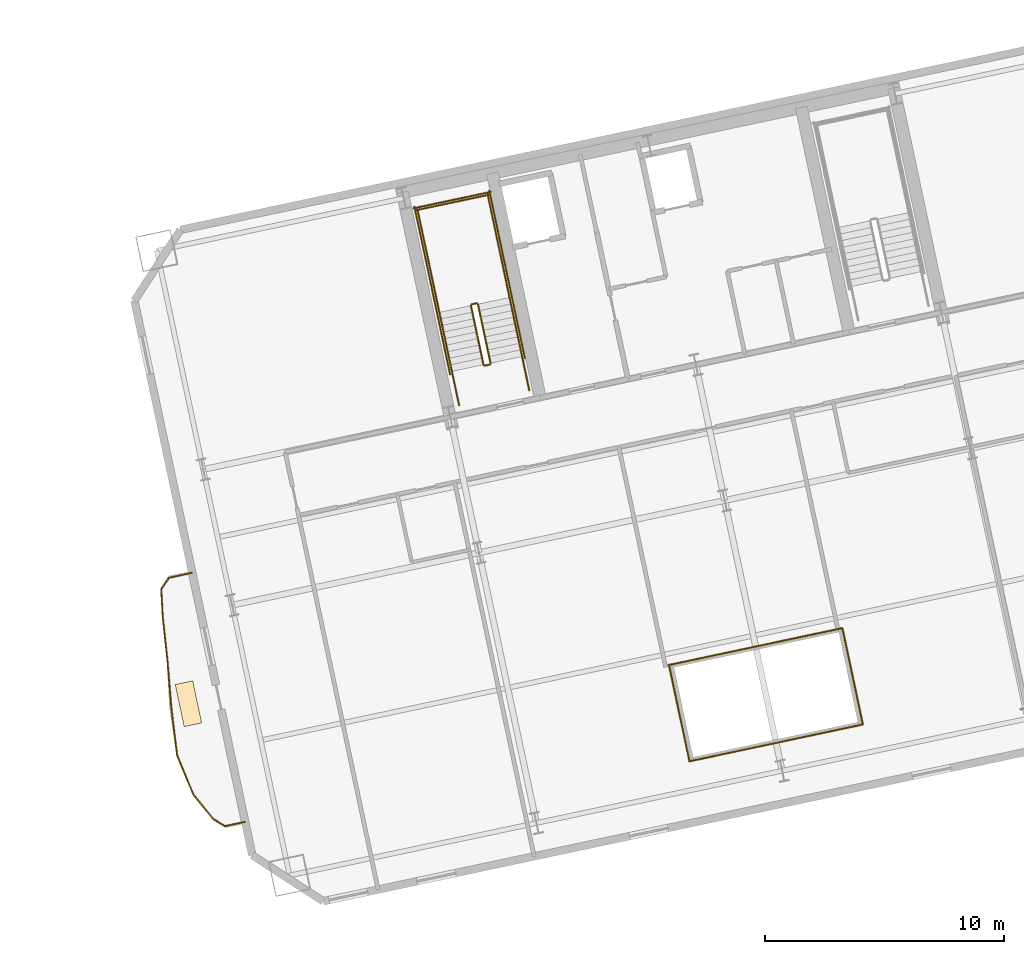
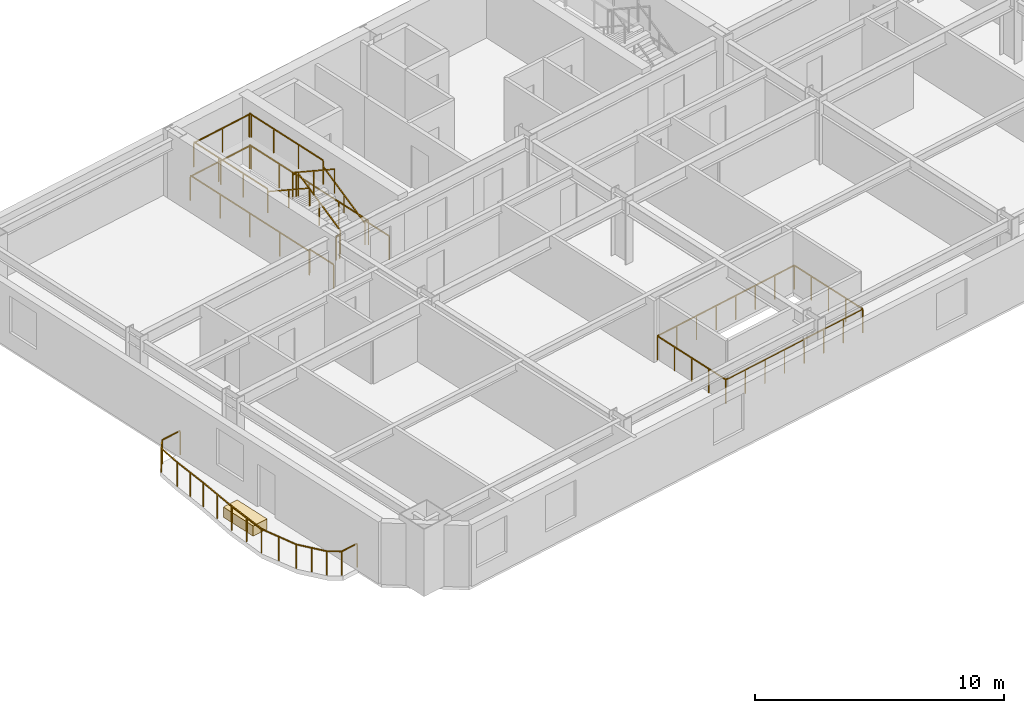
# One storey, part 13 of 14: 28 railings, 1 covering.
"""IFC4 building model written with IfcOpenShell, lengths in metres."""

import ifcopenshell
import ifcopenshell.guid

model = None  # the IFC model being written
_history = None  # IfcOwnerHistory: only IFC2X3 demands one
_inside = {}  # id of a spatial element -> (the spatial element, [elements in it])
_under = {}  # id of a project, library or spatial element -> (it, [spatial elements below it])
_declared = {}  # id of a project -> (the project, [libraries it declares])
_typed = {}  # id of a type object -> (the type object, [elements of that type])
_made_of = {}  # id of a material, layer set ... -> (it, [elements and type objects made of it])


def new_model(schema):
    """Start an empty IFC model of exactly this schema.

    Asked for "IFC4X3", IfcOpenShell would pick the latest addendum, in which some entities
    have other attributes; the version numbers below select the first issue.
    IFC2X3 requires an IfcOwnerHistory on every rooted entity: one is made here for all.
    """
    global model, _history
    if schema == "IFC4X3":
        model = ifcopenshell.file(schema_version=(4, 3, 0, 0))
    else:
        model = ifcopenshell.file(schema=schema)
    _inside.clear()
    _under.clear()
    _declared.clear()
    _typed.clear()
    _made_of.clear()
    _history = None
    if model.schema == "IFC2X3":
        org = make("IfcOrganization", Name="unknown")
        user = make(
            "IfcPersonAndOrganization",
            ThePerson=make("IfcPerson", FamilyName="unknown"),
            TheOrganization=org,
        )
        app = make(
            "IfcApplication",
            ApplicationDeveloper=org,
            Version="unknown",
            ApplicationFullName="unknown",
            ApplicationIdentifier="unknown",
        )
        _history = make(
            "IfcOwnerHistory",
            OwningUser=user,
            OwningApplication=app,
            ChangeAction="ADDED",
            CreationDate=0,
        )
    return model


def make(cls, **values):
    """One entity of the class cls with the attributes given. An attribute that is None is left unset."""
    return model.create_entity(
        cls, **{name: value for name, value in values.items() if value is not None}
    )


def rooted(cls, **values):
    """An entity with a GlobalId (a new one), such as an element, a storey or a relation."""
    return make(cls, GlobalId=ifcopenshell.guid.new(), OwnerHistory=_history, **values)


def si_unit(unit_type, name, prefix=None):
    """IfcSIUnit, for example si_unit("LENGTHUNIT", "METRE", prefix="MILLI")."""
    return make("IfcSIUnit", UnitType=unit_type, Prefix=prefix, Name=name)


def assignment(units):
    """IfcUnitAssignment: the units of a project."""
    return None if units is None else make("IfcUnitAssignment", Units=units)


def point(xyz):
    """IfcCartesianPoint."""
    return None if xyz is None else make("IfcCartesianPoint", Coordinates=xyz)


def direction(xyz):
    """IfcDirection."""
    return None if xyz is None else make("IfcDirection", DirectionRatios=xyz)


def frame(location, z_axis=None, x_axis=None):
    """IfcAxis2Placement3D, a coordinate frame: its origin and axes. An axis left out is left unset."""
    return make(
        "IfcAxis2Placement3D",
        Location=point(location),
        Axis=direction(z_axis),
        RefDirection=direction(x_axis),
    )


def frame_2d(location, x_axis=None):
    """IfcAxis2Placement2D, a coordinate frame in the plane: its origin and x axis."""
    return make(
        "IfcAxis2Placement2D", Location=point(location), RefDirection=direction(x_axis)
    )


def origin():
    """The frame at (0, 0, 0) with its axes left unset."""
    return frame((0.0, 0.0, 0.0))


def origin_2d():
    """The frame at (0, 0) in the plane with its x axis left unset."""
    return frame_2d((0.0, 0.0))


def place(relative_to, where):
    """IfcLocalPlacement: puts the frame where relative to a parent placement (None: the world)."""
    return make(
        "IfcLocalPlacement", PlacementRelTo=relative_to, RelativePlacement=where
    )


def context(
    kind, dimensions, precision=None, world=None, true_north=None, identifier=None
):
    """IfcGeometricRepresentationContext, for example the 3D "Model" context."""
    return make(
        "IfcGeometricRepresentationContext",
        ContextIdentifier=identifier,
        ContextType=kind,
        CoordinateSpaceDimension=dimensions,
        Precision=precision,
        WorldCoordinateSystem=world,
        TrueNorth=true_north,
    )


def subcontext(parent, identifier, kind, view, scale=None):
    """IfcGeometricRepresentationSubContext, for example "Body" below "Model"."""
    return make(
        "IfcGeometricRepresentationSubContext",
        ContextIdentifier=identifier,
        ContextType=kind,
        ParentContext=parent,
        TargetScale=scale,
        TargetView=view,
    )


def project(units=None, contexts=None):
    """IfcProject with its units and contexts."""
    return rooted(
        "IfcProject",
        Name="project",
        RepresentationContexts=contexts,
        UnitsInContext=assignment(units),
    )


def spatial(cls, under=None, at=None, **own):
    """A site, building, storey or space (cls), placed at a placement, below another one or the project."""
    s = rooted(cls, ObjectPlacement=at, **own)
    if under is not None:
        _under.setdefault(under.id(), (under, []))[1].append(s)
    return s


def profile(cls, at=None, kind="AREA", **sizes):
    """A parametric profile (cls). Its sizes go by their IFC names, for example OverallWidth=200.0."""
    return make(cls, ProfileType=kind, Position=at, **sizes)


def rectangle(**sizes):
    """IfcRectangleProfileDef."""
    return profile("IfcRectangleProfileDef", **sizes)


def extrude(swept, where, along, depth):
    """IfcExtrudedAreaSolid: the profile swept, set in the frame where, extruded along a direction by depth."""
    return make(
        "IfcExtrudedAreaSolid",
        SweptArea=swept,
        Position=where,
        ExtrudedDirection=direction(along),
        Depth=depth,
    )


def shape(context_of_items, identifier, shape_type, items):
    """IfcShapeRepresentation: the items that make up one representation, for example the "Body"."""
    return make(
        "IfcShapeRepresentation",
        ContextOfItems=context_of_items,
        RepresentationIdentifier=identifier,
        RepresentationType=shape_type,
        Items=items,
    )


def material(Name=None, Category=None):
    """IfcMaterial."""
    return make("IfcMaterial", Name=Name, Category=Category)


def layer(
    of_material, thickness, ventilated=None, Name=None, Category=None, Priority=None
):
    """IfcMaterialLayer: one layer of a wall or slab, of a material (None: an air gap)."""
    return make(
        "IfcMaterialLayer",
        Material=of_material,
        LayerThickness=thickness,
        IsVentilated=ventilated,
        Name=Name,
        Category=Category,
        Priority=Priority,
    )


def layer_set(layers, Name=None):
    """IfcMaterialLayerSet."""
    return make("IfcMaterialLayerSet", MaterialLayers=layers, LayerSetName=Name)


def made_of(thing, what):
    """Note that an element or type object is made of a material, layer set ...; save() writes the relation."""
    if what is not None:
        _made_of.setdefault(what.id(), (what, []))[1].append(thing)
    return thing


def type_object(cls, material=None, **own):
    """A type object (cls), such as IfcWallType, which elements share."""
    return made_of(rooted(cls, **own), material)


def element(
    cls,
    number,
    at=None,
    inside=None,
    cuts=None,
    type_object=None,
    material=None,
    context=None,
    identifier="Body",
    shape_type=None,
    held_by="IfcProductDefinitionShape",
    body=None,
    shapes=None,
    **own,
):
    """One element of the class cls, such as IfcWall. Its Tag is "e" and its number.

    at: its placement. inside: the storey or other place that contains it. cuts: it is an
    opening in that element (IfcRelVoidsElement). A single representation is given by context,
    identifier, shape_type and body (its items); several are given by shapes. held_by: the class
    of the entity that holds the representations. save() writes the other relations.
    """
    e = rooted(cls, Tag="e%d" % number, ObjectPlacement=at, **own)
    if body is not None:
        shapes = [shape(context, identifier, shape_type, body)]
    if shapes is not None:
        e.Representation = make(held_by, Representations=shapes)
    if inside is not None:
        _inside.setdefault(inside.id(), (inside, []))[1].append(e)
    if cuts is not None:
        rooted(
            "IfcRelVoidsElement", RelatingBuildingElement=cuts, RelatedOpeningElement=e
        )
    if type_object is not None:
        _typed.setdefault(type_object.id(), (type_object, []))[1].append(e)
    return made_of(e, material)


def aggregate(whole, parts):
    """IfcRelAggregates: a whole, such as a stair, and the parts it consists of."""
    return rooted("IfcRelAggregates", RelatingObject=whole, RelatedObjects=parts)


def save(model, path):
    """Write the relations noted so far, then the file.

    IfcRelAggregates (storeys below a building ...), IfcRelContainedInSpatialStructure (elements
    in a storey), IfcRelDefinesByType, IfcRelAssociatesMaterial and IfcRelDeclares: one each for
    every whole, place, type object, material and project.
    """
    for whole, parts in _under.values():
        aggregate(whole, parts)
    for where, things in _inside.values():
        rooted(
            "IfcRelContainedInSpatialStructure",
            RelatedElements=things,
            RelatingStructure=where,
        )
    for kind, things in _typed.values():
        rooted("IfcRelDefinesByType", RelatedObjects=things, RelatingType=kind)
    for what, things in _made_of.values():
        rooted("IfcRelAssociatesMaterial", RelatedObjects=things, RelatingMaterial=what)
    for by, libraries in _declared.values():
        rooted("IfcRelDeclares", RelatingContext=by, RelatedDefinitions=libraries)
    model.write(path)


model = new_model("IFC4")

# Units and contexts
model_context = context("Model", 3, precision=1e-05, world=origin(), true_north=direction((0.0, 1.0)))
body_context = subcontext(model_context, "Body", "Model", "MODEL_VIEW")
ifc_project = project(units=[si_unit("LENGTHUNIT", "METRE"), si_unit("AREAUNIT", "SQUARE_METRE"), si_unit("VOLUMEUNIT", "CUBIC_METRE"), si_unit("PLANEANGLEUNIT", "RADIAN"), si_unit("MASSUNIT", "GRAM", prefix="KILO")], contexts=[model_context])

# Site, building, storey
site_placement = place(None, origin())
site = spatial("IfcSite", under=ifc_project, at=site_placement, CompositionType="ELEMENT")
building_placement = place(site_placement, origin())
building = spatial("IfcBuilding", under=site, at=building_placement, Name="Haevon Station Towers", CompositionType="ELEMENT")
storey_placement = place(building_placement, frame((0.0, 0.0, 86.699951171875)))
storey = spatial("IfcBuildingStorey", under=building, at=storey_placement, Name="L22", CompositionType="ELEMENT", Elevation=86.699951171875)

# Railings
ifc_material_1 = material(Name="Steel S355", Category="steel")
railing_type_1 = type_object("IfcRailingType", Name="BAL-ATR1200", PredefinedType="BALUSTRADE", material=ifc_material_1)
railing_1_placement = place(storey_placement, frame((108.758544921875, 23.050048828125, 0.0)))
element("IfcRailing", 1, at=railing_1_placement, inside=storey, type_object=railing_type_1, Name="L22 Atrium Void Balustrade 1", PredefinedType="BALUSTRADE", context=body_context, shape_type="SweptSolid", body=[
    extrude(rectangle(XDim=0.048095703125, YDim=0.048095703125, at=origin_2d()), frame((0.0, 0.0, 1.17578125), z_axis=(0.978148717371, 0.207906437384, 0.0), x_axis=(-0.207906437384, 0.978148717371, 0.0)), (0.0, 0.0, 1.0), 7.40966796875),
    extrude(rectangle(XDim=0.0419921875, YDim=0.0419921875, at=origin_2d()), origin(), (0.0, 0.0, 1.0), 1.15185546875),
    extrude(rectangle(XDim=0.0419921875, YDim=0.0419921875, at=origin_2d()), frame((1.035400390625, 0.219970703125, 0.0)), (0.0, 0.0, 1.0), 1.15185546875),
    extrude(rectangle(XDim=0.0419921875, YDim=0.0419921875, at=origin_2d()), frame((2.07080078125, 0.440185546875, 0.0)), (0.0, 0.0, 1.0), 1.15185546875),
    extrude(rectangle(XDim=0.0419921875, YDim=0.0419921875, at=origin_2d()), frame((3.106201171875, 0.66015625, 0.0)), (0.0, 0.0, 1.0), 1.15185546875),
    extrude(rectangle(XDim=0.0419921875, YDim=0.0419921875, at=origin_2d()), frame((4.1416015625, 0.88037109375, 0.0)), (0.0, 0.0, 1.0), 1.15185546875),
    extrude(rectangle(XDim=0.0419921875, YDim=0.0419921875, at=origin_2d()), frame((5.177001953125, 1.100341796875, 0.0)), (0.0, 0.0, 1.0), 1.15185546875),
    extrude(rectangle(XDim=0.0419921875, YDim=0.0419921875, at=origin_2d()), frame((6.21240234375, 1.320556640625, 0.0)), (0.0, 0.0, 1.0), 1.15185546875),
    extrude(rectangle(XDim=0.0419921875, YDim=0.0419921875, at=origin_2d()), frame((7.247802734375, 1.54052734375, 0.0)), (0.0, 0.0, 1.0), 1.15185546875),
])
railing_2_placement = place(storey_placement, frame((116.00634765625, 24.590576171875, 0.0)))
element("IfcRailing", 2, at=railing_2_placement, inside=storey, type_object=railing_type_1, Name="L22 Atrium Void Balustrade 2", PredefinedType="BALUSTRADE", context=body_context, shape_type="SweptSolid", body=[
    extrude(rectangle(XDim=0.048095703125, YDim=0.048095703125, at=origin_2d()), frame((0.0, 0.0, 1.17578125), z_axis=(-0.207928976297, 0.978143926432, 0.0), x_axis=(-0.978143926432, -0.207928976297, 0.0)), (0.0, 0.0, 1.0), 4.11669921875),
    extrude(rectangle(XDim=0.0419921875, YDim=0.0419921875, at=origin_2d()), origin(), (0.0, 0.0, 1.0), 1.15185546875),
    extrude(rectangle(XDim=0.0419921875, YDim=0.0419921875, at=origin_2d()), frame((-0.2138671875, 1.006591796875, 0.0)), (0.0, 0.0, 1.0), 1.15185546875),
    extrude(rectangle(XDim=0.0419921875, YDim=0.0419921875, at=origin_2d()), frame((-0.427978515625, 2.01318359375, 0.0)), (0.0, 0.0, 1.0), 1.15185546875),
    extrude(rectangle(XDim=0.0419921875, YDim=0.0419921875, at=origin_2d()), frame((-0.64208984375, 3.02001953125, 0.0)), (0.0, 0.0, 1.0), 1.15185546875),
    extrude(rectangle(XDim=0.0419921875, YDim=0.0419921875, at=origin_2d()), frame((-0.85595703125, 4.026611328125, 0.0)), (0.0, 0.0, 1.0), 1.15185546875),
])
railing_3_placement = place(storey_placement, frame((115.150390625, 28.6171875, 0.0)))
element("IfcRailing", 3, at=railing_3_placement, inside=storey, type_object=railing_type_1, Name="L22 Atrium Void Balustrade 3", PredefinedType="BALUSTRADE", context=body_context, shape_type="SweptSolid", body=[
    extrude(rectangle(XDim=0.048095703125, YDim=0.048095703125, at=origin_2d()), frame((0.0, 0.0, 1.17578125), z_axis=(-0.978148717371, -0.207906437384, 0.0), x_axis=(0.207906437384, -0.978148717371, 0.0)), (0.0, 0.0, 1.0), 7.40966796875),
    extrude(rectangle(XDim=0.0419921875, YDim=0.0419921875, at=origin_2d()), origin(), (0.0, 0.0, 1.0), 1.15185546875),
    extrude(rectangle(XDim=0.0419921875, YDim=0.0419921875, at=origin_2d()), frame((-1.035400390625, -0.219970703125, 0.0)), (0.0, 0.0, 1.0), 1.15185546875),
    extrude(rectangle(XDim=0.0419921875, YDim=0.0419921875, at=origin_2d()), frame((-2.07080078125, -0.440185546875, 0.0)), (0.0, 0.0, 1.0), 1.15185546875),
    extrude(rectangle(XDim=0.0419921875, YDim=0.0419921875, at=origin_2d()), frame((-3.106201171875, -0.66015625, 0.0)), (0.0, 0.0, 1.0), 1.15185546875),
    extrude(rectangle(XDim=0.0419921875, YDim=0.0419921875, at=origin_2d()), frame((-4.1416015625, -0.88037109375, 0.0)), (0.0, 0.0, 1.0), 1.15185546875),
    extrude(rectangle(XDim=0.0419921875, YDim=0.0419921875, at=origin_2d()), frame((-5.177001953125, -1.100341796875, 0.0)), (0.0, 0.0, 1.0), 1.15185546875),
    extrude(rectangle(XDim=0.0419921875, YDim=0.0419921875, at=origin_2d()), frame((-6.21240234375, -1.320556640625, 0.0)), (0.0, 0.0, 1.0), 1.15185546875),
    extrude(rectangle(XDim=0.0419921875, YDim=0.0419921875, at=origin_2d()), frame((-7.247802734375, -1.54052734375, 0.0)), (0.0, 0.0, 1.0), 1.15185546875),
])
railing_4_placement = place(storey_placement, frame((107.902587890625, 27.07666015625, 0.0)))
element("IfcRailing", 4, at=railing_4_placement, inside=storey, type_object=railing_type_1, Name="L22 Atrium Void Balustrade 4", PredefinedType="BALUSTRADE", context=body_context, shape_type="SweptSolid", body=[
    extrude(rectangle(XDim=0.048095703125, YDim=0.048095703125, at=origin_2d()), frame((0.0, 0.0, 1.17578125), z_axis=(0.207928976297, -0.978143926432, 0.0), x_axis=(0.978143926432, 0.207928976297, 0.0)), (0.0, 0.0, 1.0), 4.11669921875),
    extrude(rectangle(XDim=0.0419921875, YDim=0.0419921875, at=origin_2d()), origin(), (0.0, 0.0, 1.0), 1.15185546875),
    extrude(rectangle(XDim=0.0419921875, YDim=0.0419921875, at=origin_2d()), frame((0.2138671875, -1.006591796875, 0.0)), (0.0, 0.0, 1.0), 1.15185546875),
    extrude(rectangle(XDim=0.0419921875, YDim=0.0419921875, at=origin_2d()), frame((0.427978515625, -2.01318359375, 0.0)), (0.0, 0.0, 1.0), 1.15185546875),
    extrude(rectangle(XDim=0.0419921875, YDim=0.0419921875, at=origin_2d()), frame((0.64208984375, -3.02001953125, 0.0)), (0.0, 0.0, 1.0), 1.15185546875),
    extrude(rectangle(XDim=0.0419921875, YDim=0.0419921875, at=origin_2d()), frame((0.85595703125, -4.026611328125, 0.0)), (0.0, 0.0, 1.0), 1.15185546875),
])
railing_type_2 = type_object("IfcRailingType", Name="GRD-EXT1200", PredefinedType="GUARDRAIL", material=ifc_material_1)
railing_5_placement = place(storey_placement, frame((87.947509765625, 30.92578125, 0.0)))
element("IfcRailing", 5, at=railing_5_placement, inside=storey, type_object=railing_type_2, Name="L22 Perimeter Guardrail 1", PredefinedType="GUARDRAIL", context=body_context, shape_type="SweptSolid", body=[
    extrude(rectangle(XDim=0.048095703125, YDim=0.048095703125, at=origin_2d()), frame((0.0, 0.0, 1.17578125), z_axis=(-0.977706975704, -0.209973973767, 0.0), x_axis=(0.209973973767, -0.977706975704, 0.0)), (0.0, 0.0, 1.0), 0.974365234375),
    extrude(rectangle(XDim=0.0419921875, YDim=0.0419921875, at=origin_2d()), origin(), (0.0, 0.0, 1.0), 1.15185546875),
    extrude(rectangle(XDim=0.0419921875, YDim=0.0419921875, at=origin_2d()), frame((-0.95263671875, -0.20458984375, 0.0)), (0.0, 0.0, 1.0), 1.15185546875),
])
railing_6_placement = place(storey_placement, frame((86.994873046875, 30.72119140625, 0.0)))
element("IfcRailing", 6, at=railing_6_placement, inside=storey, type_object=railing_type_2, Name="L22 Perimeter Guardrail 2", PredefinedType="GUARDRAIL", context=body_context, shape_type="SweptSolid", body=[
    extrude(rectangle(XDim=0.048095703125, YDim=0.048095703125, at=origin_2d()), frame((0.0, 0.0, 1.17578125), z_axis=(-0.548902781063, -0.835886198559, 0.0), x_axis=(0.835886198559, -0.548902781063, 0.0)), (0.0, 0.0, 1.0), 0.58447265625),
    extrude(rectangle(XDim=0.0419921875, YDim=0.0419921875, at=origin_2d()), origin(), (0.0, 0.0, 1.0), 1.15185546875),
    extrude(rectangle(XDim=0.0419921875, YDim=0.0419921875, at=origin_2d()), frame((-0.32080078125, -0.488525390625, 0.0)), (0.0, 0.0, 1.0), 1.15185546875),
])
railing_7_placement = place(storey_placement, frame((86.674072265625, 30.232666015625, 0.0)))
element("IfcRailing", 7, at=railing_7_placement, inside=storey, type_object=railing_type_2, Name="L22 Perimeter Guardrail 3", PredefinedType="GUARDRAIL", context=body_context, shape_type="SweptSolid", body=[
    extrude(rectangle(XDim=0.048095703125, YDim=0.048095703125, at=origin_2d()), frame((0.0, 0.0, 1.17578125), z_axis=(0.057114381798, -0.998367641399, 0.0), x_axis=(0.998367641399, 0.057114381798, 0.0)), (0.0, 0.0, 1.0), 1.18408203125),
    extrude(rectangle(XDim=0.0419921875, YDim=0.0419921875, at=origin_2d()), origin(), (0.0, 0.0, 1.0), 1.15185546875),
    extrude(rectangle(XDim=0.0419921875, YDim=0.0419921875, at=origin_2d()), frame((0.067626953125, -1.18212890625, 0.0)), (0.0, 0.0, 1.0), 1.15185546875),
])
railing_8_placement = place(storey_placement, frame((86.74169921875, 29.050537109375, 0.0)))
element("IfcRailing", 8, at=railing_8_placement, inside=storey, type_object=railing_type_2, Name="L22 Perimeter Guardrail 4", PredefinedType="GUARDRAIL", context=body_context, shape_type="SweptSolid", body=[
    extrude(rectangle(XDim=0.048095703125, YDim=0.048095703125, at=origin_2d()), frame((0.0, 0.0, 1.17578125), z_axis=(0.108694440393, -0.994075207732, 0.0), x_axis=(0.994075207732, 0.108694440393, 0.0)), (0.0, 0.0, 1.0), 1.7587890625),
    extrude(rectangle(XDim=0.0419921875, YDim=0.0419921875, at=origin_2d()), origin(), (0.0, 0.0, 1.0), 1.15185546875),
    extrude(rectangle(XDim=0.0419921875, YDim=0.0419921875, at=origin_2d()), frame((0.095703125, -0.8740234375, 0.0)), (0.0, 0.0, 1.0), 1.15185546875),
    extrude(rectangle(XDim=0.0419921875, YDim=0.0419921875, at=origin_2d()), frame((0.191162109375, -1.748291015625, 0.0)), (0.0, 0.0, 1.0), 1.15185546875),
])
railing_9_placement = place(storey_placement, frame((86.932861328125, 27.30224609375, 0.0)))
element("IfcRailing", 9, at=railing_9_placement, inside=storey, type_object=railing_type_2, Name="L22 Perimeter Guardrail 5", PredefinedType="GUARDRAIL", context=body_context, shape_type="SweptSolid", body=[
    extrude(rectangle(XDim=0.048095703125, YDim=0.048095703125, at=origin_2d()), frame((0.0, 0.0, 1.17578125), z_axis=(0.08157428138, -0.996667264746, 0.0), x_axis=(0.996667264746, 0.08157428138, 0.0)), (0.0, 0.0, 1.0), 2.005126953125),
    extrude(rectangle(XDim=0.0419921875, YDim=0.0419921875, at=origin_2d()), origin(), (0.0, 0.0, 1.0), 1.15185546875),
    extrude(rectangle(XDim=0.0419921875, YDim=0.0419921875, at=origin_2d()), frame((0.081787109375, -0.999267578125, 0.0)), (0.0, 0.0, 1.0), 1.15185546875),
    extrude(rectangle(XDim=0.0419921875, YDim=0.0419921875, at=origin_2d()), frame((0.16357421875, -1.99853515625, 0.0)), (0.0, 0.0, 1.0), 1.15185546875),
])
railing_10_placement = place(storey_placement, frame((87.096435546875, 25.3037109375, 0.0)))
element("IfcRailing", 10, at=railing_10_placement, inside=storey, type_object=railing_type_2, Name="L22 Perimeter Guardrail 6", PredefinedType="GUARDRAIL", context=body_context, shape_type="SweptSolid", body=[
    extrude(rectangle(XDim=0.048095703125, YDim=0.048095703125, at=origin_2d()), frame((0.0, 0.0, 1.17578125), z_axis=(0.120025370625, -0.992770824715, 0.0), x_axis=(0.992770824715, 0.120025370625, 0.0)), (0.0, 0.0, 1.0), 2.00146484375),
    extrude(rectangle(XDim=0.0419921875, YDim=0.0419921875, at=origin_2d()), origin(), (0.0, 0.0, 1.0), 1.15185546875),
    extrude(rectangle(XDim=0.0419921875, YDim=0.0419921875, at=origin_2d()), frame((0.1201171875, -0.99365234375, 0.0)), (0.0, 0.0, 1.0), 1.15185546875),
    extrude(rectangle(XDim=0.0419921875, YDim=0.0419921875, at=origin_2d()), frame((0.240234375, -1.987060546875, 0.0)), (0.0, 0.0, 1.0), 1.15185546875),
])
railing_11_placement = place(storey_placement, frame((87.336669921875, 23.316650390625, 0.0)))
element("IfcRailing", 11, at=railing_11_placement, inside=storey, type_object=railing_type_2, Name="L22 Perimeter Guardrail 7", PredefinedType="GUARDRAIL", context=body_context, shape_type="SweptSolid", body=[
    extrude(rectangle(XDim=0.048095703125, YDim=0.048095703125, at=origin_2d()), frame((0.0, 0.0, 1.17578125), z_axis=(0.380126956315, -0.924934320415, 0.0), x_axis=(0.924934320415, 0.380126956315, 0.0)), (0.0, 0.0, 1.0), 1.774658203125),
    extrude(rectangle(XDim=0.0419921875, YDim=0.0419921875, at=origin_2d()), origin(), (0.0, 0.0, 1.0), 1.15185546875),
    extrude(rectangle(XDim=0.0419921875, YDim=0.0419921875, at=origin_2d()), frame((0.33740234375, -0.82080078125, 0.0)), (0.0, 0.0, 1.0), 1.15185546875),
    extrude(rectangle(XDim=0.0419921875, YDim=0.0419921875, at=origin_2d()), frame((0.674560546875, -1.641357421875, 0.0)), (0.0, 0.0, 1.0), 1.15185546875),
])
railing_12_placement = place(storey_placement, frame((88.01123046875, 21.67529296875, 0.0)))
element("IfcRailing", 12, at=railing_12_placement, inside=storey, type_object=railing_type_2, Name="L22 Perimeter Guardrail 8", PredefinedType="GUARDRAIL", context=body_context, shape_type="SweptSolid", body=[
    extrude(rectangle(XDim=0.048095703125, YDim=0.048095703125, at=origin_2d()), frame((0.0, 0.0, 1.17578125), z_axis=(0.628207120121, -0.778046151735, 0.0), x_axis=(0.778046151735, 0.628207120121, 0.0)), (0.0, 0.0, 1.0), 1.3115234375),
    extrude(rectangle(XDim=0.0419921875, YDim=0.0419921875, at=origin_2d()), origin(), (0.0, 0.0, 1.0), 1.15185546875),
    extrude(rectangle(XDim=0.0419921875, YDim=0.0419921875, at=origin_2d()), frame((0.412109375, -0.51025390625, 0.0)), (0.0, 0.0, 1.0), 1.15185546875),
    extrude(rectangle(XDim=0.0419921875, YDim=0.0419921875, at=origin_2d()), frame((0.823974609375, -1.0205078125, 0.0)), (0.0, 0.0, 1.0), 1.15185546875),
])
railing_13_placement = place(storey_placement, frame((88.835205078125, 20.65478515625, 0.0)))
element("IfcRailing", 13, at=railing_13_placement, inside=storey, type_object=railing_type_2, Name="L22 Perimeter Guardrail 9", PredefinedType="GUARDRAIL", context=body_context, shape_type="SweptSolid", body=[
    extrude(rectangle(XDim=0.048095703125, YDim=0.048095703125, at=origin_2d()), frame((0.0, 0.0, 1.17578125), z_axis=(0.850090143897, -0.52663720648, 0.0), x_axis=(0.52663720648, 0.850090143897, 0.0)), (0.0, 0.0, 1.0), 0.5947265625),
    extrude(rectangle(XDim=0.0419921875, YDim=0.0419921875, at=origin_2d()), origin(), (0.0, 0.0, 1.0), 1.15185546875),
    extrude(rectangle(XDim=0.0419921875, YDim=0.0419921875, at=origin_2d()), frame((0.505615234375, -0.313232421875, 0.0)), (0.0, 0.0, 1.0), 1.15185546875),
])
railing_14_placement = place(storey_placement, frame((89.3408203125, 20.341552734375, 0.0)))
element("IfcRailing", 14, at=railing_14_placement, inside=storey, type_object=railing_type_2, Name="L22 Perimeter Guardrail 10", PredefinedType="GUARDRAIL", context=body_context, shape_type="SweptSolid", body=[
    extrude(rectangle(XDim=0.048095703125, YDim=0.048095703125, at=origin_2d()), frame((0.0, 0.0, 1.17578125), z_axis=(0.978605406054, 0.205746103834, 0.0), x_axis=(-0.205746103834, 0.978605406054, 0.0)), (0.0, 0.0, 1.0), 0.837646484375),
    extrude(rectangle(XDim=0.0419921875, YDim=0.0419921875, at=origin_2d()), origin(), (0.0, 0.0, 1.0), 1.15185546875),
    extrude(rectangle(XDim=0.0419921875, YDim=0.0419921875, at=origin_2d()), frame((0.81982421875, 0.17236328125, 0.0)), (0.0, 0.0, 1.0), 1.15185546875),
])
railing_type_3 = type_object("IfcRailingType", Name="GRD-STR1200", PredefinedType="GUARDRAIL", material=ifc_material_1)
railing_15_placement = place(storey_placement, frame((100.44140625, 39.69287109375, 0.1650390625)))
element("IfcRailing", 15, at=railing_15_placement, inside=storey, type_object=railing_type_3, Name="L22 ST3 Stair Guard 1", PredefinedType="GUARDRAIL", context=body_context, shape_type="SweptSolid", body=[
    extrude(rectangle(XDim=0.048095703125, YDim=0.048095703125, at=origin_2d()), frame((0.0, 0.0, 1.17578125), z_axis=(-0.179121265225, 0.842687928106, 0.507732831485), x_axis=(-0.978147030254, -0.207914374695, 0.0)), (0.0, 0.0, 1.0), 2.925048828125),
    extrude(rectangle(XDim=0.0419921875, YDim=0.0419921875, at=origin_2d()), origin(), (0.0, 0.0, 1.0), 1.15185546875),
    extrude(rectangle(XDim=0.0419921875, YDim=0.0419921875, at=origin_2d()), frame((-0.261962890625, 1.232421875, 0.74267578125)), (0.0, 0.0, 1.0), 1.15185546875),
    extrude(rectangle(XDim=0.0419921875, YDim=0.0419921875, at=origin_2d()), frame((-0.52392578125, 2.46484375, 1.485107421875)), (0.0, 0.0, 1.0), 1.15185546875),
])
railing_16_placement = place(storey_placement, frame((99.858154296875, 42.1962890625, 1.650146484375)))
element("IfcRailing", 16, at=railing_16_placement, inside=storey, type_object=railing_type_3, Name="L22 ST3 Stair Guard 2", PredefinedType="GUARDRAIL", context=body_context, shape_type="SweptSolid", body=[
    extrude(rectangle(XDim=0.048095703125, YDim=0.048095703125, at=origin_2d()), frame((0.0, 0.0, 1.17578125), z_axis=(-0.977962931203, -0.208778603291, 0.0), x_axis=(0.208778603291, -0.977962931203, 0.0)), (0.0, 0.0, 1.0), 0.199951171875),
    extrude(rectangle(XDim=0.0419921875, YDim=0.0419921875, at=origin_2d()), origin(), (0.0, 0.0, 1.0), 1.15185546875),
    extrude(rectangle(XDim=0.0419921875, YDim=0.0419921875, at=origin_2d()), frame((-0.195556640625, -0.041748046875, 0.0)), (0.0, 0.0, 1.0), 1.15185546875),
])
railing_17_placement = place(storey_placement, frame((101.238037109375, 42.4384765625, 1.650146484375)))
element("IfcRailing", 17, at=railing_17_placement, inside=storey, type_object=railing_type_3, Name="L22 ST3 Stair Guard 3", PredefinedType="GUARDRAIL", context=body_context, shape_type="SweptSolid", body=[
    extrude(rectangle(XDim=0.048095703125, YDim=0.048095703125, at=origin_2d()), frame((0.0, 0.0, 1.17578125), z_axis=(-0.20794048909, 0.978141479029, 0.0), x_axis=(-0.978141479029, -0.20794048909, 0.0)), (0.0, 0.0, 1.0), 4.429931640625),
    extrude(rectangle(XDim=0.0419921875, YDim=0.0419921875, at=origin_2d()), origin(), (0.0, 0.0, 1.0), 1.15185546875),
    extrude(rectangle(XDim=0.0419921875, YDim=0.0419921875, at=origin_2d()), frame((-0.30712890625, 1.4443359375, 0.0)), (0.0, 0.0, 1.0), 1.15185546875),
    extrude(rectangle(XDim=0.0419921875, YDim=0.0419921875, at=origin_2d()), frame((-0.614013671875, 2.888671875, 0.0)), (0.0, 0.0, 1.0), 1.15185546875),
    extrude(rectangle(XDim=0.0419921875, YDim=0.0419921875, at=origin_2d()), frame((-0.921142578125, 4.3330078125, 0.0)), (0.0, 0.0, 1.0), 1.15185546875),
])
railing_18_placement = place(storey_placement, frame((98.303466796875, 41.814697265625, 1.650146484375)))
element("IfcRailing", 18, at=railing_18_placement, inside=storey, type_object=railing_type_3, Name="L22 ST3 Stair Guard 4", PredefinedType="GUARDRAIL", context=body_context, shape_type="SweptSolid", body=[
    extrude(rectangle(XDim=0.048095703125, YDim=0.048095703125, at=origin_2d()), frame((0.0, 0.0, 1.17578125), z_axis=(-0.207876551949, 0.978155069071, 0.0), x_axis=(-0.978155069071, -0.207876551949, 0.0)), (0.0, 0.0, 1.0), 4.429931640625),
    extrude(rectangle(XDim=0.0419921875, YDim=0.0419921875, at=origin_2d()), origin(), (0.0, 0.0, 1.0), 1.15185546875),
    extrude(rectangle(XDim=0.0419921875, YDim=0.0419921875, at=origin_2d()), frame((-0.306884765625, 1.4443359375, 0.0)), (0.0, 0.0, 1.0), 1.15185546875),
    extrude(rectangle(XDim=0.0419921875, YDim=0.0419921875, at=origin_2d()), frame((-0.614013671875, 2.888916015625, 0.0)), (0.0, 0.0, 1.0), 1.15185546875),
    extrude(rectangle(XDim=0.0419921875, YDim=0.0419921875, at=origin_2d()), frame((-0.9208984375, 4.333251953125, 0.0)), (0.0, 0.0, 1.0), 1.15185546875),
])
railing_19_placement = place(storey_placement, frame((100.376220703125, 46.733154296875, 1.650146484375)))
element("IfcRailing", 19, at=railing_19_placement, inside=storey, type_object=railing_type_3, Name="L22 ST3 Stair Guard 5", PredefinedType="GUARDRAIL", context=body_context, shape_type="SweptSolid", body=[
    extrude(rectangle(XDim=0.048095703125, YDim=0.048095703125, at=origin_2d()), frame((0.0, 0.0, 1.17578125), z_axis=(-0.978146839882, -0.207915270313, 0.0), x_axis=(0.207915270313, -0.978146839882, 0.0)), (0.0, 0.0, 1.0), 3.099853515625),
    extrude(rectangle(XDim=0.0419921875, YDim=0.0419921875, at=origin_2d()), origin(), (0.0, 0.0, 1.0), 1.15185546875),
    extrude(rectangle(XDim=0.0419921875, YDim=0.0419921875, at=origin_2d()), frame((-1.51611328125, -0.322265625, 0.0)), (0.0, 0.0, 1.0), 1.15185546875),
    extrude(rectangle(XDim=0.0419921875, YDim=0.0419921875, at=origin_2d()), frame((-3.0322265625, -0.64453125, 0.0)), (0.0, 0.0, 1.0), 1.15185546875),
])
railing_20_placement = place(storey_placement, frame((99.6240234375, 42.09521484375, 1.81494140625)))
element("IfcRailing", 20, at=railing_20_placement, inside=storey, type_object=railing_type_3, Name="L22 ST3 Stair Guard 6", PredefinedType="GUARDRAIL", context=body_context, shape_type="SweptSolid", body=[
    extrude(rectangle(XDim=0.048095703125, YDim=0.048095703125, at=origin_2d()), frame((0.0, 0.0, 1.17578125), z_axis=(0.179121265225, -0.842687928106, 0.507732831485), x_axis=(0.978147030254, 0.207914374695, 0.0)), (0.0, 0.0, 1.0), 2.925048828125),
    extrude(rectangle(XDim=0.0419921875, YDim=0.0419921875, at=origin_2d()), origin(), (0.0, 0.0, 1.0), 1.15185546875),
    extrude(rectangle(XDim=0.0419921875, YDim=0.0419921875, at=origin_2d()), frame((0.261962890625, -1.232421875, 0.74267578125)), (0.0, 0.0, 1.0), 1.15185546875),
    extrude(rectangle(XDim=0.0419921875, YDim=0.0419921875, at=origin_2d()), frame((0.52392578125, -2.46484375, 1.485107421875)), (0.0, 0.0, 1.0), 1.15185546875),
])
railing_21_placement = place(storey_placement, frame((100.40283203125, 39.633544921875, 0.0)))
element("IfcRailing", 21, at=railing_21_placement, inside=storey, type_object=railing_type_3, Name="L22 ST3 Stair Guard 7", PredefinedType="GUARDRAIL", context=body_context, shape_type="SweptSolid", body=[
    extrude(rectangle(XDim=0.048095703125, YDim=0.048095703125, at=origin_2d()), frame((0.0, 0.0, 1.17578125), z_axis=(-0.977962931203, -0.208778603291, 0.0), x_axis=(0.208778603291, -0.977962931203, 0.0)), (0.0, 0.0, 1.0), 0.199951171875),
    extrude(rectangle(XDim=0.0419921875, YDim=0.0419921875, at=origin_2d()), origin(), (0.0, 0.0, 1.0), 1.15185546875),
    extrude(rectangle(XDim=0.0419921875, YDim=0.0419921875, at=origin_2d()), frame((-0.195556640625, -0.041748046875, 0.0)), (0.0, 0.0, 1.0), 1.15185546875),
])
for number, where, name in (
    (22, (102.0634765625, 38.55517578125, 0.0), "L22 ST3 Stair Guard 8"),
    (23, (99.12890625, 37.931396484375, 0.0), "L22 ST3 Stair Guard 9"),
):
    element("IfcRailing", number, at=place(storey_placement, frame(where)), inside=storey, type_object=railing_type_3, Name=name, PredefinedType="GUARDRAIL", context=body_context, shape_type="SweptSolid", body=[
        extrude(rectangle(XDim=0.048095703125, YDim=0.048095703125, at=origin_2d()), frame((0.0, 0.0, 1.17578125), z_axis=(-0.207953405961, 0.978138732977, 0.0), x_axis=(-0.978138732977, -0.207953405961, 0.0)), (0.0, 0.0, 1.0), 1.449951171875),
        extrude(rectangle(XDim=0.0419921875, YDim=0.0419921875, at=origin_2d()), origin(), (0.0, 0.0, 1.0), 1.15185546875),
        extrude(rectangle(XDim=0.0419921875, YDim=0.0419921875, at=origin_2d()), frame((-0.301513671875, 1.418212890625, 0.0)), (0.0, 0.0, 1.0), 1.15185546875),
    ])
railing_22_placement = place(storey_placement, frame((101.88037109375, 39.896484375, 0.0)))
element("IfcRailing", 24, at=railing_22_placement, inside=storey, type_object=railing_type_3, Name="L22 ST3 Stair Guard 10", PredefinedType="GUARDRAIL", context=body_context, shape_type="SweptSolid", body=[
    extrude(rectangle(XDim=0.048095703125, YDim=0.048095703125, at=origin_2d()), frame((0.0, 0.0, 1.17578125), z_axis=(-0.207882442208, 0.978153817261, 0.0), x_axis=(-0.978153817261, -0.207882442208, 0.0)), (0.0, 0.0, 1.0), 7.14990234375),
    extrude(rectangle(XDim=0.0419921875, YDim=0.0419921875, at=origin_2d()), origin(), (0.0, 0.0, 1.0), 1.15185546875),
    extrude(rectangle(XDim=0.0419921875, YDim=0.0419921875, at=origin_2d()), frame((-0.37158203125, 1.74853515625, 0.0)), (0.0, 0.0, 1.0), 1.15185546875),
    extrude(rectangle(XDim=0.0419921875, YDim=0.0419921875, at=origin_2d()), frame((-0.7431640625, 3.496826171875, 0.0)), (0.0, 0.0, 1.0), 1.15185546875),
    extrude(rectangle(XDim=0.0419921875, YDim=0.0419921875, at=origin_2d()), frame((-1.11474609375, 5.2451171875, 0.0)), (0.0, 0.0, 1.0), 1.15185546875),
    extrude(rectangle(XDim=0.0419921875, YDim=0.0419921875, at=origin_2d()), frame((-1.486328125, 6.99365234375, 0.0)), (0.0, 0.0, 1.0), 1.15185546875),
])
railing_23_placement = place(storey_placement, frame((98.75048828125, 39.231201171875, 0.0)))
element("IfcRailing", 25, at=railing_23_placement, inside=storey, type_object=railing_type_3, Name="L22 ST3 Stair Guard 11", PredefinedType="GUARDRAIL", context=body_context, shape_type="SweptSolid", body=[
    extrude(rectangle(XDim=0.048095703125, YDim=0.048095703125, at=origin_2d()), frame((0.0, 0.0, 1.17578125), z_axis=(-0.207915112487, 0.978146873429, 0.0), x_axis=(-0.978146873429, -0.207915112487, 0.0)), (0.0, 0.0, 1.0), 7.14990234375),
    extrude(rectangle(XDim=0.0419921875, YDim=0.0419921875, at=origin_2d()), origin(), (0.0, 0.0, 1.0), 1.15185546875),
    extrude(rectangle(XDim=0.0419921875, YDim=0.0419921875, at=origin_2d()), frame((-0.37158203125, 1.74853515625, 0.0)), (0.0, 0.0, 1.0), 1.15185546875),
    extrude(rectangle(XDim=0.0419921875, YDim=0.0419921875, at=origin_2d()), frame((-0.7431640625, 3.496826171875, 0.0)), (0.0, 0.0, 1.0), 1.15185546875),
    extrude(rectangle(XDim=0.0419921875, YDim=0.0419921875, at=origin_2d()), frame((-1.114990234375, 5.2451171875, 0.0)), (0.0, 0.0, 1.0), 1.15185546875),
    extrude(rectangle(XDim=0.0419921875, YDim=0.0419921875, at=origin_2d()), frame((-1.486572265625, 6.99365234375, 0.0)), (0.0, 0.0, 1.0), 1.15185546875),
])
railing_24_placement = place(storey_placement, frame((100.453125, 46.8515625, 0.0)))
element("IfcRailing", 26, at=railing_24_placement, inside=storey, type_object=railing_type_3, Name="L22 ST3 Stair Guard 12", PredefinedType="GUARDRAIL", context=body_context, shape_type="SweptSolid", body=[
    extrude(rectangle(XDim=0.048095703125, YDim=0.048095703125, at=origin_2d()), frame((0.0, 0.0, 1.17578125), z_axis=(-0.978150764849, -0.207896804268, 0.0), x_axis=(0.207896804268, -0.978150764849, 0.0)), (0.0, 0.0, 1.0), 3.2998046875),
    extrude(rectangle(XDim=0.0419921875, YDim=0.0419921875, at=origin_2d()), origin(), (0.0, 0.0, 1.0), 1.15185546875),
    extrude(rectangle(XDim=0.0419921875, YDim=0.0419921875, at=origin_2d()), frame((-1.61376953125, -0.343017578125, 0.0)), (0.0, 0.0, 1.0), 1.15185546875),
    extrude(rectangle(XDim=0.0419921875, YDim=0.0419921875, at=origin_2d()), frame((-3.227783203125, -0.68603515625, 0.0)), (0.0, 0.0, 1.0), 1.15185546875),
])
railing_type_4 = type_object("IfcRailingType", Name="HND-STR900", PredefinedType="HANDRAIL", material=ifc_material_1)
railing_25_placement = place(storey_placement, frame((101.761962890625, 39.973388671875, 0.1650390625)))
element("IfcRailing", 27, at=railing_25_placement, inside=storey, type_object=railing_type_4, Name="L22 ST3 Stair Handrail 1", PredefinedType="HANDRAIL", context=body_context, shape_type="SweptSolid", body=[
    extrude(rectangle(XDim=0.048095703125, YDim=0.048095703125, at=origin_2d()), frame((0.0, 0.0, 0.8759765625), z_axis=(-0.179108667068, 0.842712120868, 0.50769712105), x_axis=(-0.978151217824, -0.207894673017, 0.0)), (0.0, 0.0, 1.0), 2.92529296875),
    extrude(rectangle(XDim=0.0419921875, YDim=0.0419921875, at=origin_2d()), origin(), (0.0, 0.0, 1.0), 0.851806640625),
    extrude(rectangle(XDim=0.0419921875, YDim=0.0419921875, at=origin_2d()), frame((-0.261962890625, 1.232421875, 0.74267578125)), (0.0, 0.0, 1.0), 0.851806640625),
    extrude(rectangle(XDim=0.0419921875, YDim=0.0419921875, at=origin_2d()), frame((-0.52392578125, 2.465087890625, 1.485107421875)), (0.0, 0.0, 1.0), 0.851806640625),
])
railing_26_placement = place(storey_placement, frame((98.303466796875, 41.814697265625, 1.81494140625)))
element("IfcRailing", 28, at=railing_26_placement, inside=storey, type_object=railing_type_4, Name="L22 ST3 Stair Handrail 2", PredefinedType="HANDRAIL", context=body_context, shape_type="SweptSolid", body=[
    extrude(rectangle(XDim=0.048095703125, YDim=0.048095703125, at=origin_2d()), frame((0.0, 0.0, 0.8759765625), z_axis=(0.179108667068, -0.842712120868, 0.50769712105), x_axis=(0.978151217824, 0.207894673017, 0.0)), (0.0, 0.0, 1.0), 2.92529296875),
    extrude(rectangle(XDim=0.0419921875, YDim=0.0419921875, at=origin_2d()), origin(), (0.0, 0.0, 1.0), 0.851806640625),
    extrude(rectangle(XDim=0.0419921875, YDim=0.0419921875, at=origin_2d()), frame((0.261962890625, -1.232421875, 0.74267578125)), (0.0, 0.0, 1.0), 0.851806640625),
    extrude(rectangle(XDim=0.0419921875, YDim=0.0419921875, at=origin_2d()), frame((0.52392578125, -2.465087890625, 1.485107421875)), (0.0, 0.0, 1.0), 0.851806640625),
])

# Covering
ifc_material_2 = material(Name="Architectural planter GRC", Category="concrete")
ifc_layer = layer(ifc_material_2, 0.550048828125)
ifc_layer_set = layer_set([ifc_layer], Name="Architectural planter GRC")
covering_type = type_object("IfcCoveringType", Name="PLN-GRC550", PredefinedType="MOLDING", material=ifc_layer_set)
covering_placement = place(storey_placement, frame((87.815185546875, 25.45654296875, 0.0), z_axis=(0.0, 0.0, 1.0), x_axis=(0.978147600734, 0.207911690818, 0.0)))
element("IfcCovering", 29, at=covering_placement, inside=storey, type_object=covering_type, Name="Tower 2 L22 Scalloped Balcony PLANTER", PredefinedType="MOLDING", context=body_context, shape_type="SweptSolid", body=[
    extrude(rectangle(XDim=0.75, YDim=1.800048828125, at=origin_2d()), origin(), (0.0, 0.0, 1.0), 0.5),
])

save(model, "model.ifc")
